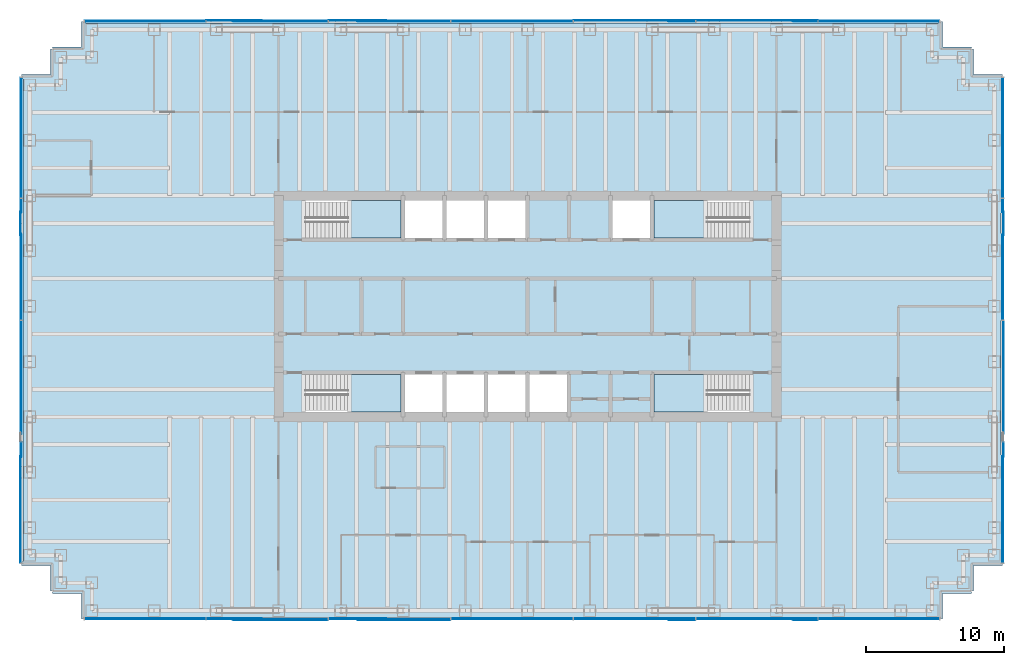
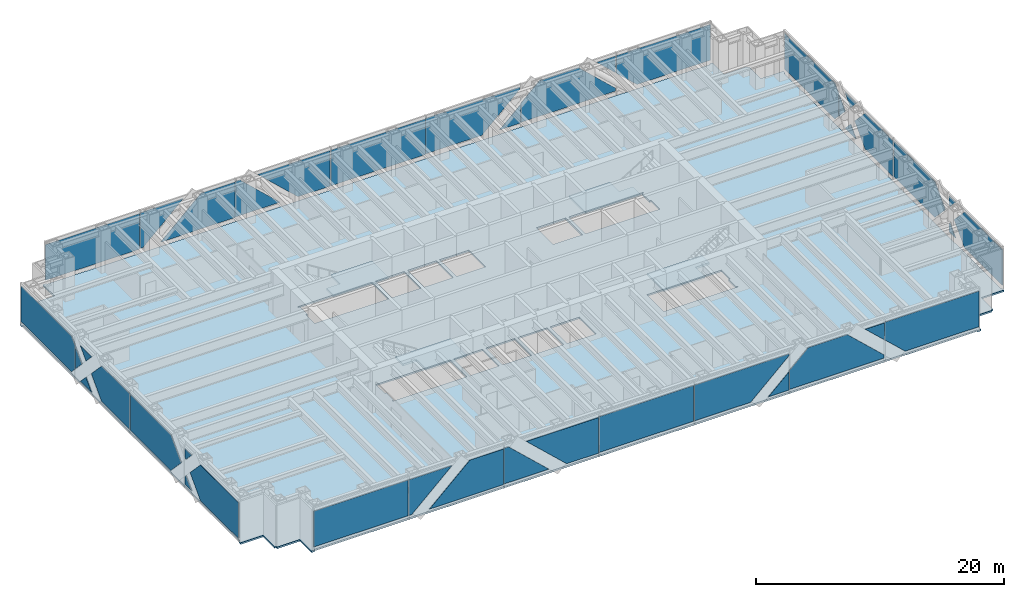
# One storey, part 10 of 17: 40 plates, 5 slabs, 8 elements without a shape of their own.
"""IFC4 building model written with IfcOpenShell, lengths in metres."""

import ifcopenshell
import ifcopenshell.guid

model = None  # the IFC model being written
_history = None  # IfcOwnerHistory: only IFC2X3 demands one
_inside = {}  # id of a spatial element -> (the spatial element, [elements in it])
_under = {}  # id of a project, library or spatial element -> (it, [spatial elements below it])
_declared = {}  # id of a project -> (the project, [libraries it declares])
_typed = {}  # id of a type object -> (the type object, [elements of that type])
_made_of = {}  # id of a material, layer set ... -> (it, [elements and type objects made of it])


def new_model(schema):
    """Start an empty IFC model of exactly this schema.

    Asked for "IFC4X3", IfcOpenShell would pick the latest addendum, in which some entities
    have other attributes; the version numbers below select the first issue.
    IFC2X3 requires an IfcOwnerHistory on every rooted entity: one is made here for all.
    """
    global model, _history
    if schema == "IFC4X3":
        model = ifcopenshell.file(schema_version=(4, 3, 0, 0))
    else:
        model = ifcopenshell.file(schema=schema)
    _inside.clear()
    _under.clear()
    _declared.clear()
    _typed.clear()
    _made_of.clear()
    _history = None
    if model.schema == "IFC2X3":
        org = make("IfcOrganization", Name="unknown")
        user = make(
            "IfcPersonAndOrganization",
            ThePerson=make("IfcPerson", FamilyName="unknown"),
            TheOrganization=org,
        )
        app = make(
            "IfcApplication",
            ApplicationDeveloper=org,
            Version="unknown",
            ApplicationFullName="unknown",
            ApplicationIdentifier="unknown",
        )
        _history = make(
            "IfcOwnerHistory",
            OwningUser=user,
            OwningApplication=app,
            ChangeAction="ADDED",
            CreationDate=0,
        )
    return model


def make(cls, **values):
    """One entity of the class cls with the attributes given. An attribute that is None is left unset."""
    return model.create_entity(
        cls, **{name: value for name, value in values.items() if value is not None}
    )


def rooted(cls, **values):
    """An entity with a GlobalId (a new one), such as an element, a storey or a relation."""
    return make(cls, GlobalId=ifcopenshell.guid.new(), OwnerHistory=_history, **values)


def si_unit(unit_type, name, prefix=None):
    """IfcSIUnit, for example si_unit("LENGTHUNIT", "METRE", prefix="MILLI")."""
    return make("IfcSIUnit", UnitType=unit_type, Prefix=prefix, Name=name)


def assignment(units):
    """IfcUnitAssignment: the units of a project."""
    return None if units is None else make("IfcUnitAssignment", Units=units)


def point(xyz):
    """IfcCartesianPoint."""
    return None if xyz is None else make("IfcCartesianPoint", Coordinates=xyz)


def direction(xyz):
    """IfcDirection."""
    return None if xyz is None else make("IfcDirection", DirectionRatios=xyz)


def frame(location, z_axis=None, x_axis=None):
    """IfcAxis2Placement3D, a coordinate frame: its origin and axes. An axis left out is left unset."""
    return make(
        "IfcAxis2Placement3D",
        Location=point(location),
        Axis=direction(z_axis),
        RefDirection=direction(x_axis),
    )


def frame_2d(location, x_axis=None):
    """IfcAxis2Placement2D, a coordinate frame in the plane: its origin and x axis."""
    return make(
        "IfcAxis2Placement2D", Location=point(location), RefDirection=direction(x_axis)
    )


def origin():
    """The frame at (0, 0, 0) with its axes left unset."""
    return frame((0.0, 0.0, 0.0))


def origin_2d():
    """The frame at (0, 0) in the plane with its x axis left unset."""
    return frame_2d((0.0, 0.0))


def place(relative_to, where):
    """IfcLocalPlacement: puts the frame where relative to a parent placement (None: the world)."""
    return make(
        "IfcLocalPlacement", PlacementRelTo=relative_to, RelativePlacement=where
    )


def context(
    kind, dimensions, precision=None, world=None, true_north=None, identifier=None
):
    """IfcGeometricRepresentationContext, for example the 3D "Model" context."""
    return make(
        "IfcGeometricRepresentationContext",
        ContextIdentifier=identifier,
        ContextType=kind,
        CoordinateSpaceDimension=dimensions,
        Precision=precision,
        WorldCoordinateSystem=world,
        TrueNorth=true_north,
    )


def subcontext(parent, identifier, kind, view, scale=None):
    """IfcGeometricRepresentationSubContext, for example "Body" below "Model"."""
    return make(
        "IfcGeometricRepresentationSubContext",
        ContextIdentifier=identifier,
        ContextType=kind,
        ParentContext=parent,
        TargetScale=scale,
        TargetView=view,
    )


def project(units=None, contexts=None):
    """IfcProject with its units and contexts."""
    return rooted(
        "IfcProject",
        Name="project",
        RepresentationContexts=contexts,
        UnitsInContext=assignment(units),
    )


def spatial(cls, under=None, at=None, **own):
    """A site, building, storey or space (cls), placed at a placement, below another one or the project."""
    s = rooted(cls, ObjectPlacement=at, **own)
    if under is not None:
        _under.setdefault(under.id(), (under, []))[1].append(s)
    return s


def polyline(points):
    """IfcPolyline through the points."""
    return make("IfcPolyline", Points=[point(p) for p in points])


def profile(cls, at=None, kind="AREA", **sizes):
    """A parametric profile (cls). Its sizes go by their IFC names, for example OverallWidth=200.0."""
    return make(cls, ProfileType=kind, Position=at, **sizes)


def rectangle(**sizes):
    """IfcRectangleProfileDef."""
    return profile("IfcRectangleProfileDef", **sizes)


def outline(outer, holes=None, kind="AREA"):
    """IfcArbitraryClosedProfileDef: a profile drawn as a closed curve; with holes, ...WithVoids."""
    if holes is None:
        return make("IfcArbitraryClosedProfileDef", ProfileType=kind, OuterCurve=outer)
    return make(
        "IfcArbitraryProfileDefWithVoids",
        ProfileType=kind,
        OuterCurve=outer,
        InnerCurves=holes,
    )


def extrude(swept, where, along, depth):
    """IfcExtrudedAreaSolid: the profile swept, set in the frame where, extruded along a direction by depth."""
    return make(
        "IfcExtrudedAreaSolid",
        SweptArea=swept,
        Position=where,
        ExtrudedDirection=direction(along),
        Depth=depth,
    )


def shape(context_of_items, identifier, shape_type, items):
    """IfcShapeRepresentation: the items that make up one representation, for example the "Body"."""
    return make(
        "IfcShapeRepresentation",
        ContextOfItems=context_of_items,
        RepresentationIdentifier=identifier,
        RepresentationType=shape_type,
        Items=items,
    )


def material(Name=None, Category=None):
    """IfcMaterial."""
    return make("IfcMaterial", Name=Name, Category=Category)


def layer(
    of_material, thickness, ventilated=None, Name=None, Category=None, Priority=None
):
    """IfcMaterialLayer: one layer of a wall or slab, of a material (None: an air gap)."""
    return make(
        "IfcMaterialLayer",
        Material=of_material,
        LayerThickness=thickness,
        IsVentilated=ventilated,
        Name=Name,
        Category=Category,
        Priority=Priority,
    )


def layer_set(layers, Name=None):
    """IfcMaterialLayerSet."""
    return make("IfcMaterialLayerSet", MaterialLayers=layers, LayerSetName=Name)


def made_of(thing, what):
    """Note that an element or type object is made of a material, layer set ...; save() writes the relation."""
    if what is not None:
        _made_of.setdefault(what.id(), (what, []))[1].append(thing)
    return thing


def type_object(cls, material=None, **own):
    """A type object (cls), such as IfcWallType, which elements share."""
    return made_of(rooted(cls, **own), material)


def element(
    cls,
    number,
    at=None,
    inside=None,
    cuts=None,
    type_object=None,
    material=None,
    context=None,
    identifier="Body",
    shape_type=None,
    held_by="IfcProductDefinitionShape",
    body=None,
    shapes=None,
    **own,
):
    """One element of the class cls, such as IfcWall. Its Tag is "e" and its number.

    at: its placement. inside: the storey or other place that contains it. cuts: it is an
    opening in that element (IfcRelVoidsElement). A single representation is given by context,
    identifier, shape_type and body (its items); several are given by shapes. held_by: the class
    of the entity that holds the representations. save() writes the other relations.
    """
    e = rooted(cls, Tag="e%d" % number, ObjectPlacement=at, **own)
    if body is not None:
        shapes = [shape(context, identifier, shape_type, body)]
    if shapes is not None:
        e.Representation = make(held_by, Representations=shapes)
    if inside is not None:
        _inside.setdefault(inside.id(), (inside, []))[1].append(e)
    if cuts is not None:
        rooted(
            "IfcRelVoidsElement", RelatingBuildingElement=cuts, RelatedOpeningElement=e
        )
    if type_object is not None:
        _typed.setdefault(type_object.id(), (type_object, []))[1].append(e)
    return made_of(e, material)


def aggregate(whole, parts):
    """IfcRelAggregates: a whole, such as a stair, and the parts it consists of."""
    return rooted("IfcRelAggregates", RelatingObject=whole, RelatedObjects=parts)


def save(model, path):
    """Write the relations noted so far, then the file.

    IfcRelAggregates (storeys below a building ...), IfcRelContainedInSpatialStructure (elements
    in a storey), IfcRelDefinesByType, IfcRelAssociatesMaterial and IfcRelDeclares: one each for
    every whole, place, type object, material and project.
    """
    for whole, parts in _under.values():
        aggregate(whole, parts)
    for where, things in _inside.values():
        rooted(
            "IfcRelContainedInSpatialStructure",
            RelatedElements=things,
            RelatingStructure=where,
        )
    for kind, things in _typed.values():
        rooted("IfcRelDefinesByType", RelatedObjects=things, RelatingType=kind)
    for what, things in _made_of.values():
        rooted("IfcRelAssociatesMaterial", RelatedObjects=things, RelatingMaterial=what)
    for by, libraries in _declared.values():
        rooted("IfcRelDeclares", RelatingContext=by, RelatedDefinitions=libraries)
    model.write(path)


model = new_model("IFC4")

# Units and contexts
model_context = context("Model", 3, precision=1e-05, world=origin(), true_north=direction((0.0, 1.0)))
body_context = subcontext(model_context, "Body", "Model", "MODEL_VIEW")
ifc_project = project(units=[si_unit("LENGTHUNIT", "METRE"), si_unit("AREAUNIT", "SQUARE_METRE"), si_unit("VOLUMEUNIT", "CUBIC_METRE"), si_unit("PLANEANGLEUNIT", "RADIAN"), si_unit("MASSUNIT", "GRAM", prefix="KILO")], contexts=[model_context])

# Site, building, storey
site_placement = place(None, origin())
site = spatial("IfcSite", under=ifc_project, at=site_placement, CompositionType="ELEMENT")
building_placement = place(site_placement, origin())
building = spatial("IfcBuilding", under=site, at=building_placement, Name="Rheinbord Bourse Tower", CompositionType="ELEMENT")
storey_placement = place(building_placement, frame((0.0, 0.0, 283.699951171875)))
storey = spatial("IfcBuildingStorey", under=building, at=storey_placement, Name="L64", CompositionType="ELEMENT", Elevation=283.699951171875)

# Slab
ifc_material_1 = material(Name="Concrete C30/37", Category="concrete")
ifc_layer_1 = layer(ifc_material_1, 0.159912109375)
ifc_layer_set_1 = layer_set([ifc_layer_1], Name="COMPOSITE FLOOR SLAB 160")
slab_type_1 = type_object("IfcSlabType", Name="COMPOSITE FLOOR SLAB 160", PredefinedType="FLOOR", material=ifc_layer_set_1)
slab_1_placement = place(storey_placement, frame((0.0, 0.0, -0.159912109375)))
element("IfcSlab", 1, at=slab_1_placement, inside=storey, type_object=slab_type_1, Name="Floor slab L64", PredefinedType="FLOOR", context=body_context, shape_type="SweptSolid", body=[
    extrude(outline(polyline([(1.64990234375, 3.39990234375), (1.5, 3.39990234375), (1.5, 5.25), (-0.60009765625, 5.25), (-0.60009765625, 5.550048828125), (-0.5, 5.550048828125), (-0.5, 40.449951171875), (-0.60009765625, 40.449951171875), (-0.60009765625, 40.75), (1.5, 40.75), (1.5, 42.60009765625), (1.64990234375, 42.60009765625), (1.64990234375, 42.75), (3.75, 42.75), (3.75, 44.60009765625), (4.050048828125, 44.60009765625), (4.050048828125, 44.5), (65.699951171875, 44.5), (65.699951171875, 44.60009765625), (66.0, 44.60009765625), (66.0, 42.75), (68.10009765625, 42.75), (68.10009765625, 42.60009765625), (68.25, 42.60009765625), (68.25, 40.75), (70.35009765625, 40.75), (70.35009765625, 40.449951171875), (70.25, 40.449951171875), (70.25, 5.550048828125), (70.35009765625, 5.550048828125), (70.35009765625, 5.25), (68.25, 5.25), (68.25, 3.39990234375), (68.10009765625, 3.39990234375), (68.10009765625, 3.25), (66.0, 3.25), (66.0, 1.39990234375), (65.699951171875, 1.39990234375), (65.699951171875, 1.5), (4.050048828125, 1.5), (4.050048828125, 1.39990234375), (3.75, 1.39990234375), (3.75, 3.25), (1.64990234375, 3.25), (1.64990234375, 3.39990234375)]), holes=[polyline([(19.949951171875, 19.050048828125), (26.85009765625, 19.050048828125), (26.85009765625, 16.35009765625), (19.949951171875, 16.35009765625), (19.949951171875, 16.449951171875), (20.10009765625, 16.449951171875), (20.10009765625, 17.64990234375), (19.949951171875, 17.64990234375), (19.949951171875, 19.050048828125)]), polyline([(19.949951171875, 31.64990234375), (26.85009765625, 31.64990234375), (26.85009765625, 28.949951171875), (19.949951171875, 28.949951171875), (19.949951171875, 30.35009765625), (20.10009765625, 30.35009765625), (20.10009765625, 31.550048828125), (19.949951171875, 31.550048828125), (19.949951171875, 31.64990234375)]), polyline([(52.050048828125, 16.35009765625), (45.14990234375, 16.35009765625), (45.14990234375, 19.050048828125), (52.050048828125, 19.050048828125), (52.050048828125, 17.64990234375), (51.89990234375, 17.64990234375), (51.89990234375, 16.449951171875), (52.050048828125, 16.449951171875), (52.050048828125, 16.35009765625)]), polyline([(52.050048828125, 28.949951171875), (45.14990234375, 28.949951171875), (45.14990234375, 31.64990234375), (52.050048828125, 31.64990234375), (52.050048828125, 31.550048828125), (51.89990234375, 31.550048828125), (51.89990234375, 30.35009765625), (52.050048828125, 30.35009765625), (52.050048828125, 28.949951171875)]), polyline([(27.14990234375, 16.35009765625), (27.14990234375, 19.050048828125), (29.85009765625, 19.050048828125), (29.85009765625, 16.35009765625), (27.14990234375, 16.35009765625)]), polyline([(27.14990234375, 28.949951171875), (27.14990234375, 31.64990234375), (29.85009765625, 31.64990234375), (29.85009765625, 28.949951171875), (27.14990234375, 28.949951171875)]), polyline([(30.14990234375, 16.35009765625), (30.14990234375, 19.050048828125), (32.85009765625, 19.050048828125), (32.85009765625, 16.35009765625), (30.14990234375, 16.35009765625)]), polyline([(30.14990234375, 28.949951171875), (30.14990234375, 31.64990234375), (32.85009765625, 31.64990234375), (32.85009765625, 28.949951171875), (30.14990234375, 28.949951171875)]), polyline([(33.14990234375, 16.35009765625), (33.14990234375, 19.050048828125), (35.85009765625, 19.050048828125), (35.85009765625, 16.35009765625), (33.14990234375, 16.35009765625)]), polyline([(33.14990234375, 28.949951171875), (33.14990234375, 31.64990234375), (35.85009765625, 31.64990234375), (35.85009765625, 28.949951171875), (33.14990234375, 28.949951171875)]), polyline([(36.14990234375, 16.35009765625), (36.14990234375, 19.050048828125), (38.85009765625, 19.050048828125), (38.85009765625, 16.35009765625), (36.14990234375, 16.35009765625)]), polyline([(42.14990234375, 28.949951171875), (42.14990234375, 31.64990234375), (44.85009765625, 31.64990234375), (44.85009765625, 28.949951171875), (42.14990234375, 28.949951171875)])]), origin(), (0.0, 0.0, 1.0), 0.159912109375),
])

# Curtain wall, plates
ifc_material_2 = material(Name="Dark glass and black aluminium", Category="aluminium")
curtain_wall_type = type_object("IfcCurtainWallType", Name="CW3 DARK GLASS CURTAIN WALL", PredefinedType="USERDEFINED", material=ifc_material_2)
curtain_wall_1_placement = place(storey_placement, origin())
curtain_wall_1 = element("IfcCurtainWall", 2, at=curtain_wall_1_placement, inside=storey, type_object=curtain_wall_type, Name="Curtain wall CW3 S L64", ObjectType="UNITISED CURTAIN WALL", PredefinedType="USERDEFINED")
ifc_material_3 = material(Name="Dark tinted triple insulating glass", Category="glass")
ifc_layer_2 = layer(ifc_material_3, 0.055908203125)
ifc_layer_set_2 = layer_set([ifc_layer_2], Name="CW3 DARK GLASS PANEL")
plate_type = type_object("IfcPlateType", Name="CW3 DARK GLASS PANEL", PredefinedType="CURTAIN_PANEL", material=ifc_layer_set_2)
plate_1_placement = place(storey_placement, frame((8.34130859375, 1.39990234375, 0.35009765625), z_axis=(0.0, 0.0, 1.0), x_axis=(1.0, 0.0, 0.0)))
plate_1 = element("IfcPlate", 3, at=plate_1_placement, type_object=plate_type, Name="CW3 panel 1.1", PredefinedType="CURTAIN_PANEL", context=body_context, shape_type="SweptSolid", body=[
    extrude(rectangle(XDim=8.75244140625, YDim=0.055908203125, at=origin_2d()), origin(), (0.0, 0.0, 1.0), 3.5),
])
plate_2_placement = place(storey_placement, frame((34.875, 1.39990234375, 0.35009765625), z_axis=(0.0, 0.0, 1.0), x_axis=(1.0, 0.0, 0.0)))
plate_2 = element("IfcPlate", 4, at=plate_2_placement, type_object=plate_type, Name="CW3 panel 4.1", PredefinedType="CURTAIN_PANEL", context=body_context, shape_type="SweptSolid", body=[
    extrude(rectangle(XDim=8.784912109375, YDim=0.055908203125, at=origin_2d()), origin(), (0.0, 0.0, 1.0), 3.5),
])
plate_3_placement = place(storey_placement, frame((12.782958984375, 1.3720703125, 0.35009765625), z_axis=(0.0, 1.0, 0.0), x_axis=(0.0, 0.0, 1.0)))
plate_3 = element("IfcPlate", 5, at=plate_3_placement, type_object=plate_type, Name="CW3 glass facet 1", PredefinedType="CURTAIN_PANEL", context=body_context, shape_type="SweptSolid", body=[
    extrude(outline(polyline([(0.0, 0.0), (3.5, 0.0), (3.5, 4.030029296875), (0.0, 0.280029296875), (0.0, 0.0)])), origin(), (0.0, 0.0, 1.0), 0.055908203125),
])
plate_4_placement = place(storey_placement, frame((21.56689453125, 1.31103515625, 3.85009765625), z_axis=(0.0, 1.0, 0.0), x_axis=(0.0, 0.0, -1.0)))
plate_4 = element("IfcPlate", 6, at=plate_4_placement, type_object=plate_type, Name="CW3 glass facet 2", PredefinedType="CURTAIN_PANEL", context=body_context, shape_type="SweptSolid", body=[
    extrude(outline(polyline([(0.0, 0.0), (3.5, 0.0), (3.5, 6.8798828125), (0.0, 3.1298828125), (0.0, 0.0)])), origin(), (0.0, 0.0, 1.0), 0.055908203125),
])
plate_5_placement = place(storey_placement, frame((21.633056640625, 1.3720703125, 0.35009765625), z_axis=(0.0, 1.0, 0.0), x_axis=(0.0, 0.0, 1.0)))
plate_5 = element("IfcPlate", 7, at=plate_5_placement, type_object=plate_type, Name="CW3 glass facet 1", PredefinedType="CURTAIN_PANEL", context=body_context, shape_type="SweptSolid", body=[
    extrude(outline(polyline([(0.0, 0.0), (3.5, 0.0), (3.5, 0.429931640625), (0.0, 4.179931640625), (0.0, 0.0)])), origin(), (0.0, 0.0, 1.0), 0.055908203125),
])
plate_6_placement = place(storey_placement, frame((30.4169921875, 1.31103515625, 3.85009765625), z_axis=(0.0, 1.0, 0.0), x_axis=(0.0, 0.0, -1.0)))
plate_6 = element("IfcPlate", 8, at=plate_6_placement, type_object=plate_type, Name="CW3 glass facet 2", PredefinedType="CURTAIN_PANEL", context=body_context, shape_type="SweptSolid", body=[
    extrude(outline(polyline([(0.0, 0.0), (3.5, 0.0), (3.5, 2.97998046875), (0.0, 6.72998046875), (0.0, 0.0)])), origin(), (0.0, 0.0, 1.0), 0.055908203125),
])
plate_7_placement = place(storey_placement, frame((39.3330078125, 1.3720703125, 0.35009765625), z_axis=(0.0, 1.0, 0.0), x_axis=(0.0, 0.0, 1.0)))
plate_7 = element("IfcPlate", 9, at=plate_7_placement, type_object=plate_type, Name="CW3 glass facet 1", PredefinedType="CURTAIN_PANEL", context=body_context, shape_type="SweptSolid", body=[
    extrude(outline(polyline([(0.0, 0.0), (3.5, 0.0), (3.5, 8.783935546875), (3.31689453125, 8.783935546875), (0.0, 5.22998046875), (0.0, 0.0)])), origin(), (0.0, 0.0, 1.0), 0.055908203125),
])
plate_8_placement = place(storey_placement, frame((48.116943359375, 1.31103515625, 0.35009765625), z_axis=(0.0, 1.0, 0.0), x_axis=(-1.0, 0.0, 0.0)))
plate_8 = element("IfcPlate", 10, at=plate_8_placement, type_object=plate_type, Name="CW3 glass facet 2", PredefinedType="CURTAIN_PANEL", context=body_context, shape_type="SweptSolid", body=[
    extrude(outline(polyline([(0.0, 0.0), (1.929931640625, 0.0), (0.0, 1.802001953125), (0.0, 0.0)])), origin(), (0.0, 0.0, 1.0), 0.055908203125),
])
plate_9_placement = place(storey_placement, frame((56.967041015625, 1.3720703125, 0.35009765625), z_axis=(0.0, 1.0, 0.0), x_axis=(-1.0, 0.0, 0.0)))
plate_9 = element("IfcPlate", 11, at=plate_9_placement, type_object=plate_type, Name="CW3 glass facet 1", PredefinedType="CURTAIN_PANEL", context=body_context, shape_type="SweptSolid", body=[
    extrude(outline(polyline([(0.0, 0.0), (8.78515625, 0.0), (8.78515625, 1.863037109375), (7.030029296875, 3.5), (3.404052734375, 3.5), (0.0, 0.322998046875), (0.0, 0.0)])), origin(), (0.0, 0.0, 1.0), 0.055908203125),
])
plate_10_placement = place(storey_placement, frame((56.967041015625, 1.31103515625, 3.85009765625), z_axis=(0.0, 1.0, 0.0), x_axis=(0.0, 0.0, -1.0)))
plate_10 = element("IfcPlate", 12, at=plate_10_placement, type_object=plate_type, Name="CW3 glass facet 2", PredefinedType="CURTAIN_PANEL", context=body_context, shape_type="SweptSolid", body=[
    extrude(outline(polyline([(0.0, 0.0), (1.662109375, 0.0), (0.0, 1.780029296875), (0.0, 0.0)])), origin(), (0.0, 0.0, 1.0), 0.055908203125),
])
plate_11_placement = place(storey_placement, frame((57.031982421875, 1.3720703125, 3.85009765625), z_axis=(0.0, 1.0, 0.0), x_axis=(1.0, 0.0, 0.0)))
plate_11 = element("IfcPlate", 13, at=plate_11_placement, type_object=plate_type, Name="CW3 glass facet 1", PredefinedType="CURTAIN_PANEL", context=body_context, shape_type="SweptSolid", body=[
    extrude(outline(polyline([(0.0, 0.0), (8.7529296875, 0.0), (8.7529296875, 3.5), (1.905029296875, 3.5), (0.0, 1.72314453125), (0.0, 0.0)])), origin(), (0.0, 0.0, 1.0), 0.055908203125),
])
aggregate(curtain_wall_1, [plate_1, plate_2, plate_3, plate_4, plate_5, plate_6, plate_7, plate_8, plate_9, plate_10, plate_11])

curtain_wall_2_placement = place(storey_placement, origin())
curtain_wall_2 = element("IfcCurtainWall", 14, at=curtain_wall_2_placement, inside=storey, type_object=curtain_wall_type, Name="Curtain wall CW3 E L64", ObjectType="UNITISED CURTAIN WALL", PredefinedType="USERDEFINED")
plate_12_placement = place(storey_placement, frame((70.3779296875, 5.465087890625, 0.35009765625), z_axis=(-1.0, 0.0, 0.0), x_axis=(0.0, 0.0, 1.0)))
plate_12 = element("IfcPlate", 15, at=plate_12_placement, type_object=plate_type, Name="CW3 glass facet 1", PredefinedType="CURTAIN_PANEL", context=body_context, shape_type="SweptSolid", body=[
    extrude(outline(polyline([(0.0, 0.0), (3.5, 0.0), (3.5, 6.10302734375), (1.75, 7.77001953125), (0.0, 6.10302734375), (0.0, 0.0)])), origin(), (0.0, 0.0, 1.0), 0.055908203125),
])
plate_13_placement = place(storey_placement, frame((70.43896484375, 14.16796875, 0.35009765625), z_axis=(-1.0, 0.0, 0.0), x_axis=(0.0, -1.0, 0.0)))
plate_13 = element("IfcPlate", 16, at=plate_13_placement, type_object=plate_type, Name="CW3 glass facet 2", PredefinedType="CURTAIN_PANEL", context=body_context, shape_type="SweptSolid", body=[
    extrude(outline(polyline([(0.0, 0.0), (1.070068359375, 0.0), (0.16796875, 0.947021484375), (0.0, 0.77099609375), (0.0, 0.0)])), origin(), (0.0, 0.0, 1.0), 0.055908203125),
])
plate_14_placement = place(storey_placement, frame((70.43896484375, 14.16796875, 3.85009765625), z_axis=(-1.0, 0.0, 0.0), x_axis=(0.0, 0.0, -1.0)))
plate_14 = element("IfcPlate", 17, at=plate_14_placement, type_object=plate_type, Name="CW3 glass facet 3", PredefinedType="CURTAIN_PANEL", context=body_context, shape_type="SweptSolid", body=[
    extrude(outline(polyline([(0.0, 0.0), (0.77099609375, 0.0), (0.947021484375, 0.16796875), (0.0, 1.070068359375), (0.0, 0.0)])), origin(), (0.0, 0.0, 1.0), 0.055908203125),
])
plate_15_placement = place(storey_placement, frame((70.43896484375, 22.968017578125, 3.85009765625), z_axis=(-1.0, 0.0, 0.0), x_axis=(0.0, 0.0, -1.0)))
plate_15 = element("IfcPlate", 18, at=plate_15_placement, type_object=plate_type, Name="CW3 glass facet 3", PredefinedType="CURTAIN_PANEL", context=body_context, shape_type="SweptSolid", body=[
    extrude(outline(polyline([(0.0, 0.0), (3.5, 0.0), (3.5, 6.5361328125), (1.75, 8.203125), (0.0, 6.5361328125), (0.0, 0.0)])), origin(), (0.0, 0.0, 1.0), 0.055908203125),
])
plate_16_placement = place(storey_placement, frame((70.3779296875, 23.031982421875, 0.35009765625), z_axis=(-1.0, 0.0, 0.0), x_axis=(0.0, 0.0, 1.0)))
plate_16 = element("IfcPlate", 19, at=plate_16_placement, type_object=plate_type, Name="CW3 glass facet 1", PredefinedType="CURTAIN_PANEL", context=body_context, shape_type="SweptSolid", body=[
    extrude(outline(polyline([(0.0, 0.0), (3.5, 0.0), (3.5, 4.5361328125), (1.75, 6.203125), (0.0, 4.5361328125), (0.0, 0.0)])), origin(), (0.0, 0.0, 1.0), 0.055908203125),
])
plate_17_placement = place(storey_placement, frame((70.43896484375, 29.097900390625, 0.35009765625), z_axis=(-1.0, 0.0, 0.0), x_axis=(0.0, 0.689725085129, 0.72407134106)))
plate_17 = element("IfcPlate", 20, at=plate_17_placement, type_object=plate_type, Name="CW3 glass facet 2", PredefinedType="CURTAIN_PANEL", context=body_context, shape_type="SweptSolid", body=[
    extrude(outline(polyline([(0.0, 0.0), (1.307861328125, 0.0), (1.244384765625, 1.306396484375), (0.0, 0.0)])), origin(), (0.0, 0.0, 1.0), 0.055908203125),
])
plate_18_placement = place(storey_placement, frame((70.43896484375, 30.902099609375, 3.85009765625), z_axis=(-1.0, 0.0, 0.0), x_axis=(0.0, -0.689725085129, -0.72407134106)))
plate_18 = element("IfcPlate", 21, at=plate_18_placement, type_object=plate_type, Name="CW3 glass facet 3", PredefinedType="CURTAIN_PANEL", context=body_context, shape_type="SweptSolid", body=[
    extrude(outline(polyline([(0.0, 0.0), (1.307861328125, 0.0), (1.244384765625, 1.306396484375), (0.0, 0.0)])), origin(), (0.0, 0.0, 1.0), 0.055908203125),
])
plate_19_placement = place(storey_placement, frame((70.3779296875, 31.76708984375, 1.047119140625), z_axis=(-1.0, 0.0, 0.0), x_axis=(0.0, -0.689424484205, 0.724357564038)))
plate_19 = element("IfcPlate", 22, at=plate_19_placement, type_object=plate_type, Name="CW3 glass facet 4", PredefinedType="CURTAIN_PANEL", context=body_context, shape_type="SweptSolid", body=[
    extrude(outline(polyline([(0.0, 0.0), (1.45361328125, 0.0), (1.525390625, 1.451904296875), (0.0, 0.0)])), origin(), (0.0, 0.0, 1.0), 0.055908203125),
])
plate_20_placement = place(storey_placement, frame((70.3779296875, 40.534912109375, 3.85009765625), z_axis=(-1.0, 0.0, 0.0), x_axis=(0.0, 0.0, -1.0)))
plate_20 = element("IfcPlate", 23, at=plate_20_placement, type_object=plate_type, Name="CW3 glass facet 1", PredefinedType="CURTAIN_PANEL", context=body_context, shape_type="SweptSolid", body=[
    extrude(outline(polyline([(0.0, 0.0), (3.5, 0.0), (3.5, 8.10302734375), (2.87109375, 8.701904296875), (0.629150390625, 8.701904296875), (0.0, 8.10302734375), (0.0, 0.0)])), origin(), (0.0, 0.0, 1.0), 0.055908203125),
])
aggregate(curtain_wall_2, [plate_12, plate_13, plate_14, plate_15, plate_16, plate_17, plate_18, plate_19, plate_20])

curtain_wall_3_placement = place(storey_placement, origin())
curtain_wall_3 = element("IfcCurtainWall", 24, at=curtain_wall_3_placement, inside=storey, type_object=curtain_wall_type, Name="Curtain wall CW3 N L64", ObjectType="UNITISED CURTAIN WALL", PredefinedType="USERDEFINED")
plate_21_placement = place(storey_placement, frame((34.875, 44.60009765625, 0.35009765625), z_axis=(0.0, 0.0, 1.0), x_axis=(-1.0, 0.0, 0.0)))
plate_21 = element("IfcPlate", 25, at=plate_21_placement, type_object=plate_type, Name="CW3 panel 4.1", PredefinedType="CURTAIN_PANEL", context=body_context, shape_type="SweptSolid", body=[
    extrude(rectangle(XDim=8.784912109375, YDim=0.055908203125, at=origin_2d()), origin(), (0.0, 0.0, 1.0), 3.5),
])
plate_22_placement = place(storey_placement, frame((8.34130859375, 44.60009765625, 0.35009765625), z_axis=(0.0, 0.0, 1.0), x_axis=(-1.0, 0.0, 0.0)))
plate_22 = element("IfcPlate", 26, at=plate_22_placement, type_object=plate_type, Name="CW3 panel 7.1", PredefinedType="CURTAIN_PANEL", context=body_context, shape_type="SweptSolid", body=[
    extrude(rectangle(XDim=8.75244140625, YDim=0.055908203125, at=origin_2d()), origin(), (0.0, 0.0, 1.0), 3.5),
])
plate_23_placement = place(storey_placement, frame((65.784912109375, 44.6279296875, 0.35009765625), z_axis=(0.0, -1.0, 0.0), x_axis=(0.0, 0.0, 1.0)))
plate_23 = element("IfcPlate", 27, at=plate_23_placement, type_object=plate_type, Name="CW3 glass facet 1", PredefinedType="CURTAIN_PANEL", context=body_context, shape_type="SweptSolid", body=[
    extrude(outline(polyline([(0.0, 0.0), (3.5, 0.0), (3.5, 8.7529296875), (1.77685546875, 8.7529296875), (0.0, 6.847900390625), (0.0, 0.0)])), origin(), (0.0, 0.0, 1.0), 0.055908203125),
])
plate_24_placement = place(storey_placement, frame((56.967041015625, 44.6279296875, 3.85009765625), z_axis=(0.0, -1.0, 0.0), x_axis=(-1.0, 0.0, 0.0)))
plate_24 = element("IfcPlate", 28, at=plate_24_placement, type_object=plate_type, Name="CW3 glass facet 1", PredefinedType="CURTAIN_PANEL", context=body_context, shape_type="SweptSolid", body=[
    extrude(outline(polyline([(0.0, 0.0), (1.780029296875, 0.0), (0.0, 1.662109375), (0.0, 0.0)])), origin(), (0.0, 0.0, 1.0), 0.055908203125),
])
plate_25_placement = place(storey_placement, frame((48.181884765625, 44.68896484375, 0.35009765625), z_axis=(0.0, -1.0, 0.0), x_axis=(1.0, 0.0, 0.0)))
plate_25 = element("IfcPlate", 29, at=plate_25_placement, type_object=plate_type, Name="CW3 glass facet 2", PredefinedType="CURTAIN_PANEL", context=body_context, shape_type="SweptSolid", body=[
    extrude(outline(polyline([(0.0, 0.0), (8.78515625, 0.0), (8.78515625, 0.322998046875), (5.381103515625, 3.5), (1.755126953125, 3.5), (0.0, 1.863037109375), (0.0, 0.0)])), origin(), (0.0, 0.0, 1.0), 0.055908203125),
])
plate_26_placement = place(storey_placement, frame((48.116943359375, 44.6279296875, 0.35009765625), z_axis=(0.0, -1.0, 0.0), x_axis=(0.0, 0.0, 1.0)))
plate_26 = element("IfcPlate", 30, at=plate_26_placement, type_object=plate_type, Name="CW3 glass facet 1", PredefinedType="CURTAIN_PANEL", context=body_context, shape_type="SweptSolid", body=[
    extrude(outline(polyline([(0.0, 0.0), (1.802001953125, 0.0), (0.0, 1.929931640625), (0.0, 0.0)])), origin(), (0.0, 0.0, 1.0), 0.055908203125),
])
plate_27_placement = place(storey_placement, frame((48.116943359375, 44.68896484375, 3.85009765625), z_axis=(0.0, -1.0, 0.0), x_axis=(-1.0, 0.0, 0.0)))
plate_27 = element("IfcPlate", 31, at=plate_27_placement, type_object=plate_type, Name="CW3 glass facet 2", PredefinedType="CURTAIN_PANEL", context=body_context, shape_type="SweptSolid", body=[
    extrude(outline(polyline([(0.0, 0.0), (8.784912109375, 0.0), (8.784912109375, 3.5), (3.553955078125, 3.5), (0.0, 0.18310546875), (0.0, 0.0)])), origin(), (0.0, 0.0, 1.0), 0.055908203125),
])
plate_28_placement = place(storey_placement, frame((30.4169921875, 44.6279296875, 0.35009765625), z_axis=(0.0, -1.0, 0.0), x_axis=(0.0, 0.0, 1.0)))
plate_28 = element("IfcPlate", 32, at=plate_28_placement, type_object=plate_type, Name="CW3 glass facet 1", PredefinedType="CURTAIN_PANEL", context=body_context, shape_type="SweptSolid", body=[
    extrude(outline(polyline([(0.0, 0.0), (3.5, 0.0), (3.5, 6.72998046875), (0.0, 2.97998046875), (0.0, 0.0)])), origin(), (0.0, 0.0, 1.0), 0.055908203125),
])
plate_29_placement = place(storey_placement, frame((21.632080078125, 44.68896484375, 3.85009765625), z_axis=(0.0, -1.0, 0.0), x_axis=(0.0, 0.0, -1.0)))
plate_29 = element("IfcPlate", 33, at=plate_29_placement, type_object=plate_type, Name="CW3 glass facet 2", PredefinedType="CURTAIN_PANEL", context=body_context, shape_type="SweptSolid", body=[
    extrude(outline(polyline([(0.0, 0.0), (3.5, 0.0), (3.5, 4.180908203125), (0.0, 0.430908203125), (0.0, 0.0)])), origin(), (0.0, 0.0, 1.0), 0.055908203125),
])
plate_30_placement = place(storey_placement, frame((21.56689453125, 44.6279296875, 0.35009765625), z_axis=(0.0, -1.0, 0.0), x_axis=(0.0, 0.0, 1.0)))
plate_30 = element("IfcPlate", 34, at=plate_30_placement, type_object=plate_type, Name="CW3 glass facet 1", PredefinedType="CURTAIN_PANEL", context=body_context, shape_type="SweptSolid", body=[
    extrude(outline(polyline([(0.0, 0.0), (3.5, 0.0), (3.5, 3.1298828125), (0.0, 6.8798828125), (0.0, 0.0)])), origin(), (0.0, 0.0, 1.0), 0.055908203125),
])
plate_31_placement = place(storey_placement, frame((12.781982421875, 44.68896484375, 3.85009765625), z_axis=(0.0, -1.0, 0.0), x_axis=(0.0, 0.0, -1.0)))
plate_31 = element("IfcPlate", 35, at=plate_31_placement, type_object=plate_type, Name="CW3 glass facet 2", PredefinedType="CURTAIN_PANEL", context=body_context, shape_type="SweptSolid", body=[
    extrude(outline(polyline([(0.0, 0.0), (3.5, 0.0), (3.5, 0.281005859375), (0.0, 4.031005859375), (0.0, 0.0)])), origin(), (0.0, 0.0, 1.0), 0.055908203125),
])
aggregate(curtain_wall_3, [plate_21, plate_22, plate_23, plate_24, plate_25, plate_26, plate_27, plate_28, plate_29, plate_30, plate_31])

curtain_wall_4_placement = place(storey_placement, origin())
curtain_wall_4 = element("IfcCurtainWall", 36, at=curtain_wall_4_placement, inside=storey, type_object=curtain_wall_type, Name="Curtain wall CW3 W L64", ObjectType="UNITISED CURTAIN WALL", PredefinedType="USERDEFINED")
plate_32_placement = place(storey_placement, frame((-0.6279296875, 40.534912109375, 0.35009765625), z_axis=(1.0, 0.0, 0.0), x_axis=(0.0, 0.0, 1.0)))
plate_32 = element("IfcPlate", 37, at=plate_32_placement, type_object=plate_type, Name="CW3 glass facet 1", PredefinedType="CURTAIN_PANEL", context=body_context, shape_type="SweptSolid", body=[
    extrude(outline(polyline([(0.0, 0.0), (3.5, 0.0), (3.5, 8.10302734375), (2.870849609375, 8.701904296875), (0.62890625, 8.701904296875), (0.0, 8.10302734375), (0.0, 0.0)])), origin(), (0.0, 0.0, 1.0), 0.055908203125),
])
plate_33_placement = place(storey_placement, frame((-0.6279296875, 31.76708984375, 3.153076171875), z_axis=(1.0, 0.0, 0.0), x_axis=(0.0, -0.689424484205, -0.724357564038)))
plate_33 = element("IfcPlate", 38, at=plate_33_placement, type_object=plate_type, Name="CW3 glass facet 1", PredefinedType="CURTAIN_PANEL", context=body_context, shape_type="SweptSolid", body=[
    extrude(outline(polyline([(0.0, 0.0), (1.45361328125, 0.0), (1.525390625, 1.451904296875), (0.0, 0.0)])), origin(), (0.0, 0.0, 1.0), 0.055908203125),
])
plate_34_placement = place(storey_placement, frame((-0.68896484375, 30.902099609375, 0.35009765625), z_axis=(1.0, 0.0, 0.0), x_axis=(0.0, -0.689725085129, 0.72407134106)))
plate_34 = element("IfcPlate", 39, at=plate_34_placement, type_object=plate_type, Name="CW3 glass facet 2", PredefinedType="CURTAIN_PANEL", context=body_context, shape_type="SweptSolid", body=[
    extrude(outline(polyline([(0.0, 0.0), (1.307861328125, 0.0), (1.244384765625, 1.306396484375), (0.0, 0.0)])), origin(), (0.0, 0.0, 1.0), 0.055908203125),
])
plate_35_placement = place(storey_placement, frame((-0.68896484375, 29.097900390625, 3.85009765625), z_axis=(1.0, 0.0, 0.0), x_axis=(0.0, 0.689725085129, -0.72407134106)))
plate_35 = element("IfcPlate", 40, at=plate_35_placement, type_object=plate_type, Name="CW3 glass facet 3", PredefinedType="CURTAIN_PANEL", context=body_context, shape_type="SweptSolid", body=[
    extrude(outline(polyline([(0.0, 0.0), (1.307861328125, 0.0), (1.244384765625, 1.306396484375), (0.0, 0.0)])), origin(), (0.0, 0.0, 1.0), 0.055908203125),
])
plate_36_placement = place(storey_placement, frame((-0.6279296875, 23.031982421875, 3.85009765625), z_axis=(1.0, 0.0, 0.0), x_axis=(0.0, 0.0, -1.0)))
plate_36 = element("IfcPlate", 41, at=plate_36_placement, type_object=plate_type, Name="CW3 glass facet 4", PredefinedType="CURTAIN_PANEL", context=body_context, shape_type="SweptSolid", body=[
    extrude(outline(polyline([(0.0, 0.0), (3.5, 0.0), (3.5, 4.5361328125), (1.75, 6.203125), (0.0, 4.5361328125), (0.0, 0.0)])), origin(), (0.0, 0.0, 1.0), 0.055908203125),
])
plate_37_placement = place(storey_placement, frame((-0.6279296875, 22.968017578125, 0.35009765625), z_axis=(1.0, 0.0, 0.0), x_axis=(0.0, 0.0, 1.0)))
plate_37 = element("IfcPlate", 42, at=plate_37_placement, type_object=plate_type, Name="CW3 glass facet 1", PredefinedType="CURTAIN_PANEL", context=body_context, shape_type="SweptSolid", body=[
    extrude(outline(polyline([(0.0, 0.0), (3.5, 0.0), (3.5, 6.5361328125), (1.75, 8.203125), (0.0, 6.5361328125), (0.0, 0.0)])), origin(), (0.0, 0.0, 1.0), 0.055908203125),
])
plate_38_placement = place(storey_placement, frame((-0.6279296875, 14.1669921875, 0.35009765625), z_axis=(1.0, 0.0, 0.0), x_axis=(0.0, 0.0, 1.0)))
plate_38 = element("IfcPlate", 43, at=plate_38_placement, type_object=plate_type, Name="CW3 glass facet 1", PredefinedType="CURTAIN_PANEL", context=body_context, shape_type="SweptSolid", body=[
    extrude(outline(polyline([(0.0, 0.0), (0.77099609375, 0.0), (0.947021484375, 0.1669921875), (0.0, 1.069091796875), (0.0, 0.0)])), origin(), (0.0, 0.0, 1.0), 0.055908203125),
])
plate_39_placement = place(storey_placement, frame((-0.6279296875, 14.1669921875, 3.85009765625), z_axis=(1.0, 0.0, 0.0), x_axis=(0.0, -1.0, 0.0)))
plate_39 = element("IfcPlate", 44, at=plate_39_placement, type_object=plate_type, Name="CW3 glass facet 2", PredefinedType="CURTAIN_PANEL", context=body_context, shape_type="SweptSolid", body=[
    extrude(outline(polyline([(0.0, 0.0), (1.069091796875, 0.0), (0.1669921875, 0.947021484375), (0.0, 0.77099609375), (0.0, 0.0)])), origin(), (0.0, 0.0, 1.0), 0.055908203125),
])
plate_40_placement = place(storey_placement, frame((-0.68896484375, 5.465087890625, 3.85009765625), z_axis=(1.0, 0.0, 0.0), x_axis=(0.0, 0.0, -1.0)))
plate_40 = element("IfcPlate", 45, at=plate_40_placement, type_object=plate_type, Name="CW3 glass facet 3", PredefinedType="CURTAIN_PANEL", context=body_context, shape_type="SweptSolid", body=[
    extrude(outline(polyline([(0.0, 0.0), (3.5, 0.0), (3.5, 6.10302734375), (1.75, 7.77001953125), (0.0, 6.10302734375), (0.0, 0.0)])), origin(), (0.0, 0.0, 1.0), 0.055908203125),
])
aggregate(curtain_wall_4, [plate_32, plate_33, plate_34, plate_35, plate_36, plate_37, plate_38, plate_39, plate_40])

# Stair, slab
ifc_material_4 = material(Name="Concrete C30/37", Category="concrete")
stair_type = type_object("IfcStairType", Name="CORE STAIR HALF TURN 4200", PredefinedType="HALF_TURN_STAIR", material=ifc_material_4)
stair_1_placement = place(storey_placement, origin())
stair_1 = element("IfcStair", 46, at=stair_1_placement, inside=storey, type_object=stair_type, Name="Stair ST1 L64, type CS6", PredefinedType="HALF_TURN_STAIR")
ifc_material_5 = material(Name="Concrete C30/37", Category="concrete")
ifc_layer_3 = layer(ifc_material_5, 0.199951171875)
ifc_layer_set_3 = layer_set([ifc_layer_3], Name="STAIR LANDING 200")
slab_type_2 = type_object("IfcSlabType", Name="STAIR LANDING 200", PredefinedType="LANDING", material=ifc_layer_set_3)
slab_2_placement = place(storey_placement, frame((0.0, 0.0, 1.900146484375)))
slab_2 = element("IfcSlab", 47, at=slab_2_placement, type_object=slab_type_2, Name="Half landing ST1 L64", PredefinedType="LANDING", context=body_context, shape_type="SweptSolid", body=[
    extrude(outline(polyline([(23.030029296875, 16.35009765625), (26.85009765625, 16.35009765625), (26.85009765625, 19.050048828125), (21.748046875, 19.050048828125), (21.748046875, 17.85009765625), (23.030029296875, 17.85009765625), (23.030029296875, 16.35009765625)])), origin(), (0.0, 0.0, 1.0), 0.199951171875),
])
aggregate(stair_1, [slab_2])

stair_2_placement = place(storey_placement, origin())
stair_2 = element("IfcStair", 48, at=stair_2_placement, inside=storey, type_object=stair_type, Name="Stair ST2 L64, type CS6", PredefinedType="HALF_TURN_STAIR")
slab_3_placement = place(storey_placement, frame((0.0, 0.0, 1.900146484375)))
slab_3 = element("IfcSlab", 49, at=slab_3_placement, type_object=slab_type_2, Name="Half landing ST2 L64", PredefinedType="LANDING", context=body_context, shape_type="SweptSolid", body=[
    extrude(outline(polyline([(21.748046875, 28.949951171875), (26.85009765625, 28.949951171875), (26.85009765625, 31.64990234375), (23.030029296875, 31.64990234375), (23.030029296875, 30.14990234375), (21.748046875, 30.14990234375), (21.748046875, 28.949951171875)])), origin(), (0.0, 0.0, 1.0), 0.199951171875),
])
aggregate(stair_2, [slab_3])

stair_3_placement = place(storey_placement, origin())
stair_3 = element("IfcStair", 50, at=stair_3_placement, inside=storey, type_object=stair_type, Name="Stair ST3 L64, type CS6", PredefinedType="HALF_TURN_STAIR")
slab_4_placement = place(storey_placement, frame((0.0, 0.0, 1.900146484375)))
slab_4 = element("IfcSlab", 51, at=slab_4_placement, type_object=slab_type_2, Name="Half landing ST3 L64", PredefinedType="LANDING", context=body_context, shape_type="SweptSolid", body=[
    extrude(outline(polyline([(45.14990234375, 16.35009765625), (48.969970703125, 16.35009765625), (48.969970703125, 17.85009765625), (50.251953125, 17.85009765625), (50.251953125, 19.050048828125), (45.14990234375, 19.050048828125), (45.14990234375, 16.35009765625)])), origin(), (0.0, 0.0, 1.0), 0.199951171875),
])
aggregate(stair_3, [slab_4])

stair_4_placement = place(storey_placement, origin())
stair_4 = element("IfcStair", 52, at=stair_4_placement, inside=storey, type_object=stair_type, Name="Stair ST4 L64, type CS6", PredefinedType="HALF_TURN_STAIR")
slab_5_placement = place(storey_placement, frame((0.0, 0.0, 1.900146484375)))
slab_5 = element("IfcSlab", 53, at=slab_5_placement, type_object=slab_type_2, Name="Half landing ST4 L64", PredefinedType="LANDING", context=body_context, shape_type="SweptSolid", body=[
    extrude(outline(polyline([(45.14990234375, 28.949951171875), (50.251953125, 28.949951171875), (50.251953125, 30.14990234375), (48.969970703125, 30.14990234375), (48.969970703125, 31.64990234375), (45.14990234375, 31.64990234375), (45.14990234375, 28.949951171875)])), origin(), (0.0, 0.0, 1.0), 0.199951171875),
])
aggregate(stair_4, [slab_5])

save(model, "model.ifc")
